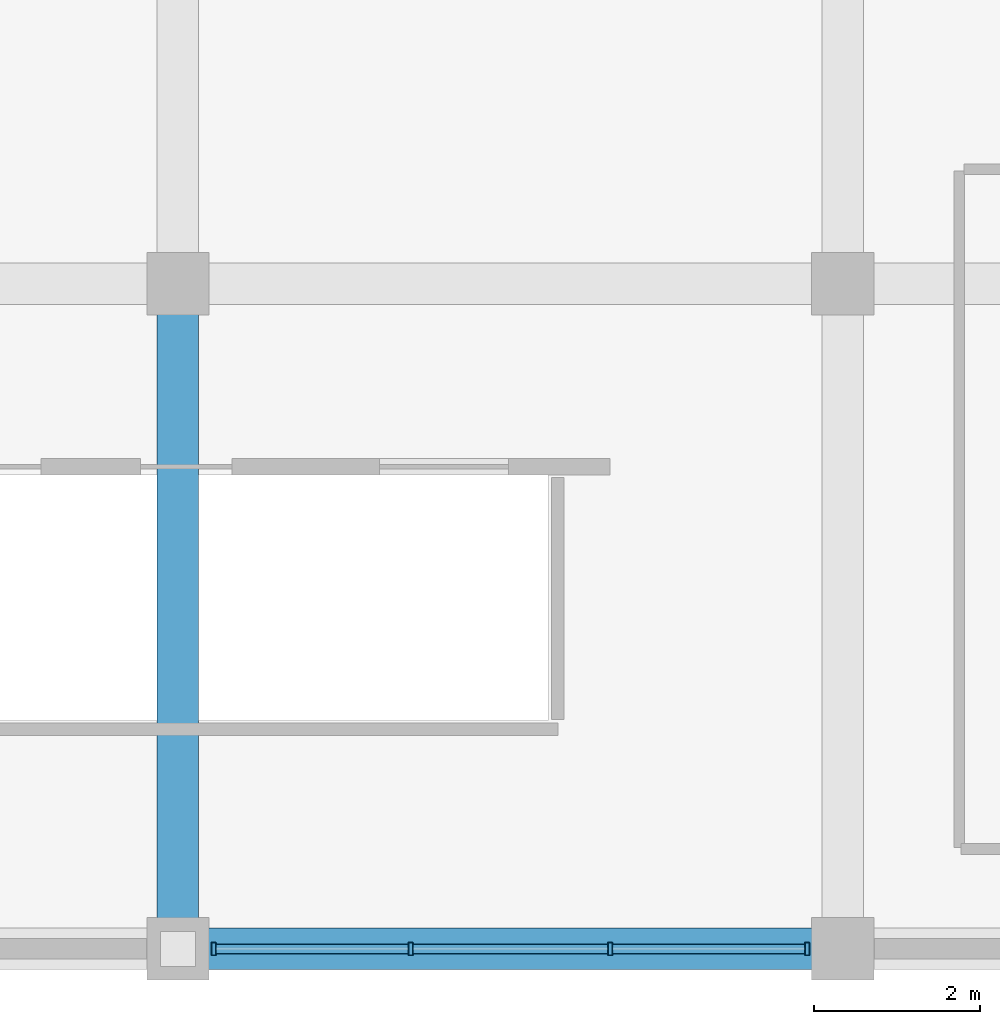
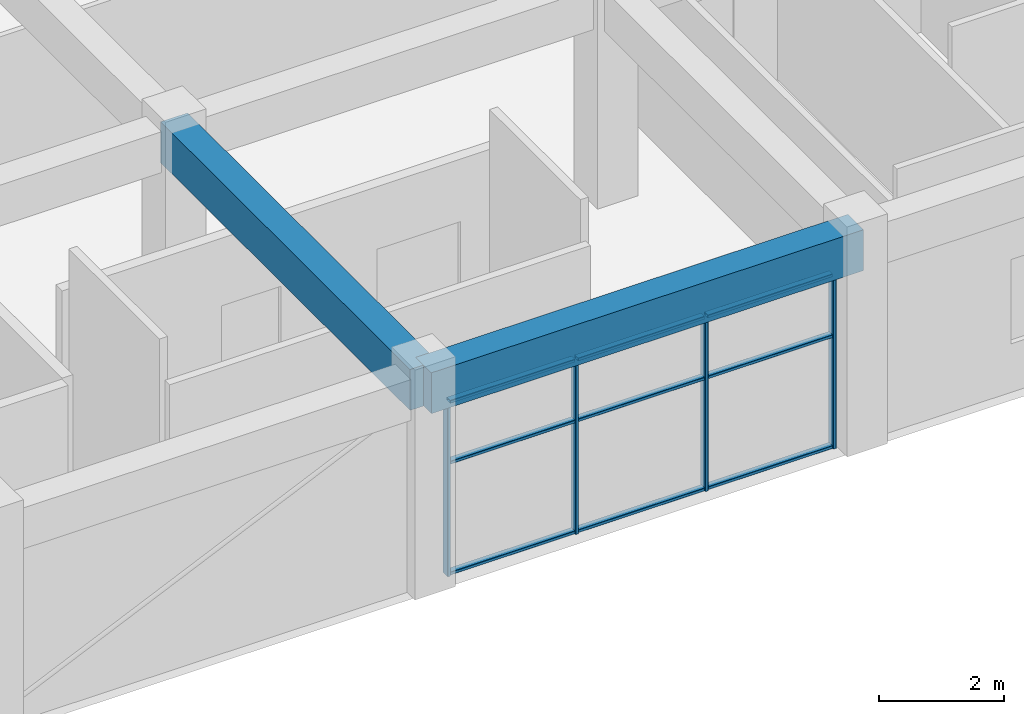
# One storey, part 6 of 53: 13 members, 2 beams, 1 element without a shape of its own.
"""IFC4 building model written with IfcOpenShell, lengths in metres."""

from ifc_helpers import new_model, si_unit, direction, frame, origin, origin_2d, place, context, subcontext, project, spatial, rectangle, hollow_rectangle, extrude, material, layer, layer_set, material_profile, profile_set, type_object, element, aggregate, save


model = new_model("IFC4")

# Units and contexts
model_context = context("Model", 3, precision=1e-05, world=origin(), true_north=direction((0.0, 1.0)))
body_context = subcontext(model_context, "Body", "Model", "MODEL_VIEW")
ifc_project = project(units=[si_unit("LENGTHUNIT", "METRE"), si_unit("AREAUNIT", "SQUARE_METRE"), si_unit("VOLUMEUNIT", "CUBIC_METRE"), si_unit("PLANEANGLEUNIT", "RADIAN"), si_unit("MASSUNIT", "GRAM", prefix="KILO")], contexts=[model_context])

# Site, building, storey
site_placement = place(None, origin())
site = spatial("IfcSite", under=ifc_project, at=site_placement, CompositionType="ELEMENT")
building_placement = place(site_placement, origin())
building = spatial("IfcBuilding", under=site, at=building_placement, Name="Kelanora Arch Commons", CompositionType="ELEMENT")
storey_placement = place(building_placement, frame((0.0, 0.0, 9.0)))
storey = spatial("IfcBuildingStorey", under=building, at=storey_placement, Name="L02", CompositionType="ELEMENT", Elevation=9.0)

# Beams
ifc_material_1 = material(Name="Concrete C40/50", Category="concrete")
ifc_material_profile_1 = material_profile(ifc_material_1, rectangle(XDim=0.5, YDim=0.800048828125, at=origin_2d()), Name="RCB500x800")
ifc_profile_set_1 = profile_set([ifc_material_profile_1], Name="Concrete C40/50")
beam_type = type_object("IfcBeamType", Name="BM-MKT-RC1", PredefinedType="BEAM", material=ifc_profile_set_1)
for number, where, z_axis, x_axis, name in (
    (1, (20.0, 4.0, 3.840087890625), (1.0, 0.0, 0.0), (0.0, 1.0, 0.0), "Market/Basement Frame Beam 038 L02"),
    (2, (20.0, 4.0, 3.840087890625), (0.0, 1.0, 0.0), (-1.0, 0.0, 0.0), "Market/Basement Frame Beam 039 L02"),
):
    element("IfcBeam", number, at=place(storey_placement, frame(where, z_axis=z_axis, x_axis=x_axis)), inside=storey, type_object=beam_type, Name=name, PredefinedType="BEAM", context=body_context, shape_type="SweptSolid", body=[
        extrude(rectangle(XDim=0.5, YDim=0.800048828125, at=origin_2d()), origin(), (0.0, 0.0, 1.0), 8.0),
    ])

# Curtain wall, members
ifc_material_2 = material(Name="Terracotta ceramic-fritted low-E glass and aluminium", Category="masonry")
ifc_layer = layer(ifc_material_2, 0.16796875)
ifc_layer_set = layer_set([ifc_layer], Name="Terracotta ceramic-fritted low-E glass and aluminium")
curtain_wall_type = type_object("IfcCurtainWallType", Name="CW-SYS-07", PredefinedType="NOTDEFINED", material=ifc_layer_set)
curtain_wall_placement = place(storey_placement, origin())
curtain_wall = element("IfcCurtainWall", 3, at=curtain_wall_placement, inside=storey, type_object=curtain_wall_type, Name="Market Hall Arcade Curtain Wall L02-02", PredefinedType="NOTDEFINED")
ifc_material_3 = material(Name="Powder-coated aluminium terracotta", Category="masonry")
ifc_material_profile_2 = material_profile(ifc_material_3, hollow_rectangle(XDim=0.159912109375, YDim=0.06005859375, WallThickness=0.0048828125, InnerFilletRadius=0.0048828125, OuterFilletRadius=0.010009765625, at=origin_2d()), Name="CWM160x60")
ifc_profile_set_2 = profile_set([ifc_material_profile_2], Name="Powder-coated aluminium terracotta")
member_type_1 = type_object("IfcMemberType", Name="CWM-STD", PredefinedType="MULLION", material=ifc_profile_set_2)
member_1_placement = place(storey_placement, frame((20.429931640625, 4.0, 0.0), z_axis=(0.0, 0.0, 1.0), x_axis=(0.0, 1.0, 0.0)))
member_1 = element("IfcMember", 4, at=member_1_placement, type_object=member_type_1, Name="CW-07 mullion 1", PredefinedType="MULLION", context=body_context, shape_type="SweptSolid", body=[
    extrude(hollow_rectangle(XDim=0.159912109375, YDim=0.06005859375, WallThickness=0.0048828125, InnerFilletRadius=0.0048828125, OuterFilletRadius=0.010009765625, at=origin_2d()), origin(), (0.0, 0.0, 1.0), 3.419921875),
])
member_2_placement = place(storey_placement, frame((22.800048828125, 4.0, 0.0), z_axis=(0.0, 0.0, 1.0), x_axis=(0.0, 1.0, 0.0)))
member_2 = element("IfcMember", 5, at=member_2_placement, type_object=member_type_1, Name="CW-07 mullion 2", PredefinedType="MULLION", context=body_context, shape_type="SweptSolid", body=[
    extrude(hollow_rectangle(XDim=0.159912109375, YDim=0.06005859375, WallThickness=0.0048828125, InnerFilletRadius=0.0048828125, OuterFilletRadius=0.010009765625, at=origin_2d()), origin(), (0.0, 0.0, 1.0), 3.419921875),
])
member_3_placement = place(storey_placement, frame((25.199951171875, 4.0, 0.0), z_axis=(0.0, 0.0, 1.0), x_axis=(0.0, 1.0, 0.0)))
member_3 = element("IfcMember", 6, at=member_3_placement, type_object=member_type_1, Name="CW-07 mullion 3", PredefinedType="MULLION", context=body_context, shape_type="SweptSolid", body=[
    extrude(hollow_rectangle(XDim=0.159912109375, YDim=0.06005859375, WallThickness=0.0048828125, InnerFilletRadius=0.0048828125, OuterFilletRadius=0.010009765625, at=origin_2d()), origin(), (0.0, 0.0, 1.0), 3.419921875),
])
member_4_placement = place(storey_placement, frame((27.570068359375, 4.0, 0.0), z_axis=(0.0, 0.0, 1.0), x_axis=(0.0, 1.0, 0.0)))
member_4 = element("IfcMember", 7, at=member_4_placement, type_object=member_type_1, Name="CW-07 mullion 4", PredefinedType="MULLION", context=body_context, shape_type="SweptSolid", body=[
    extrude(hollow_rectangle(XDim=0.159912109375, YDim=0.06005859375, WallThickness=0.0048828125, InnerFilletRadius=0.0048828125, OuterFilletRadius=0.010009765625, at=origin_2d()), origin(), (0.0, 0.0, 1.0), 3.419921875),
])
ifc_material_profile_3 = material_profile(ifc_material_3, hollow_rectangle(XDim=0.1201171875, YDim=0.06005859375, WallThickness=0.0048828125, InnerFilletRadius=0.0048828125, OuterFilletRadius=0.010009765625, at=origin_2d()), Name="CWT120x60")
ifc_profile_set_3 = profile_set([ifc_material_profile_3], Name="Powder-coated aluminium terracotta")
member_type_2 = type_object("IfcMemberType", Name="CWT-STD", PredefinedType="USERDEFINED", material=ifc_profile_set_3)
member_5_placement = place(storey_placement, frame((20.4599609375, 4.0, 0.030029296875), z_axis=(1.0, 0.0, 0.0), x_axis=(0.0, 1.0, 0.0)))
member_5 = element("IfcMember", 8, at=member_5_placement, type_object=member_type_2, Name="CW-07 transom 1.1", ObjectType="TRANSOM", PredefinedType="USERDEFINED", context=body_context, shape_type="SweptSolid", body=[
    extrude(hollow_rectangle(XDim=0.1201171875, YDim=0.06005859375, WallThickness=0.0048828125, InnerFilletRadius=0.0048828125, OuterFilletRadius=0.010009765625, at=origin_2d()), origin(), (0.0, 0.0, 1.0), 2.31005859375),
])
member_6_placement = place(storey_placement, frame((20.4599609375, 4.0, 2.199951171875), z_axis=(1.0, 0.0, 0.0), x_axis=(0.0, 1.0, 0.0)))
member_6 = element("IfcMember", 9, at=member_6_placement, type_object=member_type_2, Name="CW-07 transom 1.2", ObjectType="TRANSOM", PredefinedType="USERDEFINED", context=body_context, shape_type="SweptSolid", body=[
    extrude(hollow_rectangle(XDim=0.1201171875, YDim=0.06005859375, WallThickness=0.0048828125, InnerFilletRadius=0.0048828125, OuterFilletRadius=0.010009765625, at=origin_2d()), origin(), (0.0, 0.0, 1.0), 2.31005859375),
])
member_7_placement = place(storey_placement, frame((20.4599609375, 4.0, 3.389892578125), z_axis=(1.0, 0.0, 0.0), x_axis=(0.0, 1.0, 0.0)))
member_7 = element("IfcMember", 10, at=member_7_placement, type_object=member_type_2, Name="CW-07 transom 1.3", ObjectType="TRANSOM", PredefinedType="USERDEFINED", context=body_context, shape_type="SweptSolid", body=[
    extrude(hollow_rectangle(XDim=0.1201171875, YDim=0.06005859375, WallThickness=0.0048828125, InnerFilletRadius=0.0048828125, OuterFilletRadius=0.010009765625, at=origin_2d()), origin(), (0.0, 0.0, 1.0), 2.31005859375),
])
member_8_placement = place(storey_placement, frame((22.830078125, 4.0, 0.030029296875), z_axis=(1.0, 0.0, 0.0), x_axis=(0.0, 1.0, 0.0)))
member_8 = element("IfcMember", 11, at=member_8_placement, type_object=member_type_2, Name="CW-07 transom 2.1", ObjectType="TRANSOM", PredefinedType="USERDEFINED", context=body_context, shape_type="SweptSolid", body=[
    extrude(hollow_rectangle(XDim=0.1201171875, YDim=0.06005859375, WallThickness=0.0048828125, InnerFilletRadius=0.0048828125, OuterFilletRadius=0.010009765625, at=origin_2d()), origin(), (0.0, 0.0, 1.0), 2.33984375),
])
member_9_placement = place(storey_placement, frame((22.830078125, 4.0, 2.199951171875), z_axis=(1.0, 0.0, 0.0), x_axis=(0.0, 1.0, 0.0)))
member_9 = element("IfcMember", 12, at=member_9_placement, type_object=member_type_2, Name="CW-07 transom 2.2", ObjectType="TRANSOM", PredefinedType="USERDEFINED", context=body_context, shape_type="SweptSolid", body=[
    extrude(hollow_rectangle(XDim=0.1201171875, YDim=0.06005859375, WallThickness=0.0048828125, InnerFilletRadius=0.0048828125, OuterFilletRadius=0.010009765625, at=origin_2d()), origin(), (0.0, 0.0, 1.0), 2.33984375),
])
member_10_placement = place(storey_placement, frame((22.830078125, 4.0, 3.389892578125), z_axis=(1.0, 0.0, 0.0), x_axis=(0.0, 1.0, 0.0)))
member_10 = element("IfcMember", 13, at=member_10_placement, type_object=member_type_2, Name="CW-07 transom 2.3", ObjectType="TRANSOM", PredefinedType="USERDEFINED", context=body_context, shape_type="SweptSolid", body=[
    extrude(hollow_rectangle(XDim=0.1201171875, YDim=0.06005859375, WallThickness=0.0048828125, InnerFilletRadius=0.0048828125, OuterFilletRadius=0.010009765625, at=origin_2d()), origin(), (0.0, 0.0, 1.0), 2.33984375),
])
member_11_placement = place(storey_placement, frame((25.22998046875, 4.0, 0.030029296875), z_axis=(1.0, 0.0, 0.0), x_axis=(0.0, 1.0, 0.0)))
member_11 = element("IfcMember", 14, at=member_11_placement, type_object=member_type_2, Name="CW-07 transom 3.1", ObjectType="TRANSOM", PredefinedType="USERDEFINED", context=body_context, shape_type="SweptSolid", body=[
    extrude(hollow_rectangle(XDim=0.1201171875, YDim=0.06005859375, WallThickness=0.0048828125, InnerFilletRadius=0.0048828125, OuterFilletRadius=0.010009765625, at=origin_2d()), origin(), (0.0, 0.0, 1.0), 2.31005859375),
])
member_12_placement = place(storey_placement, frame((25.22998046875, 4.0, 2.199951171875), z_axis=(1.0, 0.0, 0.0), x_axis=(0.0, 1.0, 0.0)))
member_12 = element("IfcMember", 15, at=member_12_placement, type_object=member_type_2, Name="CW-07 transom 3.2", ObjectType="TRANSOM", PredefinedType="USERDEFINED", context=body_context, shape_type="SweptSolid", body=[
    extrude(hollow_rectangle(XDim=0.1201171875, YDim=0.06005859375, WallThickness=0.0048828125, InnerFilletRadius=0.0048828125, OuterFilletRadius=0.010009765625, at=origin_2d()), origin(), (0.0, 0.0, 1.0), 2.31005859375),
])
member_13_placement = place(storey_placement, frame((25.22998046875, 4.0, 3.389892578125), z_axis=(1.0, 0.0, 0.0), x_axis=(0.0, 1.0, 0.0)))
member_13 = element("IfcMember", 16, at=member_13_placement, type_object=member_type_2, Name="CW-07 transom 3.3", ObjectType="TRANSOM", PredefinedType="USERDEFINED", context=body_context, shape_type="SweptSolid", body=[
    extrude(hollow_rectangle(XDim=0.1201171875, YDim=0.06005859375, WallThickness=0.0048828125, InnerFilletRadius=0.0048828125, OuterFilletRadius=0.010009765625, at=origin_2d()), origin(), (0.0, 0.0, 1.0), 2.31005859375),
])
aggregate(curtain_wall, [member_1, member_2, member_3, member_4, member_5, member_6, member_7, member_8, member_9, member_10, member_11, member_12, member_13])

save(model, "model.ifc")
